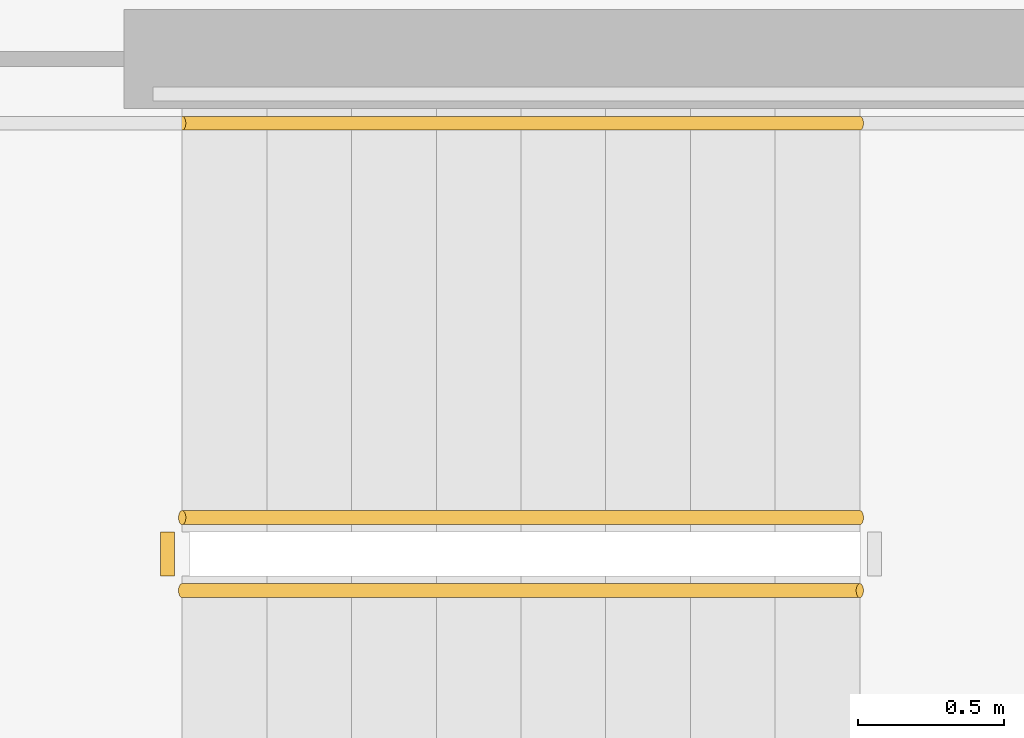
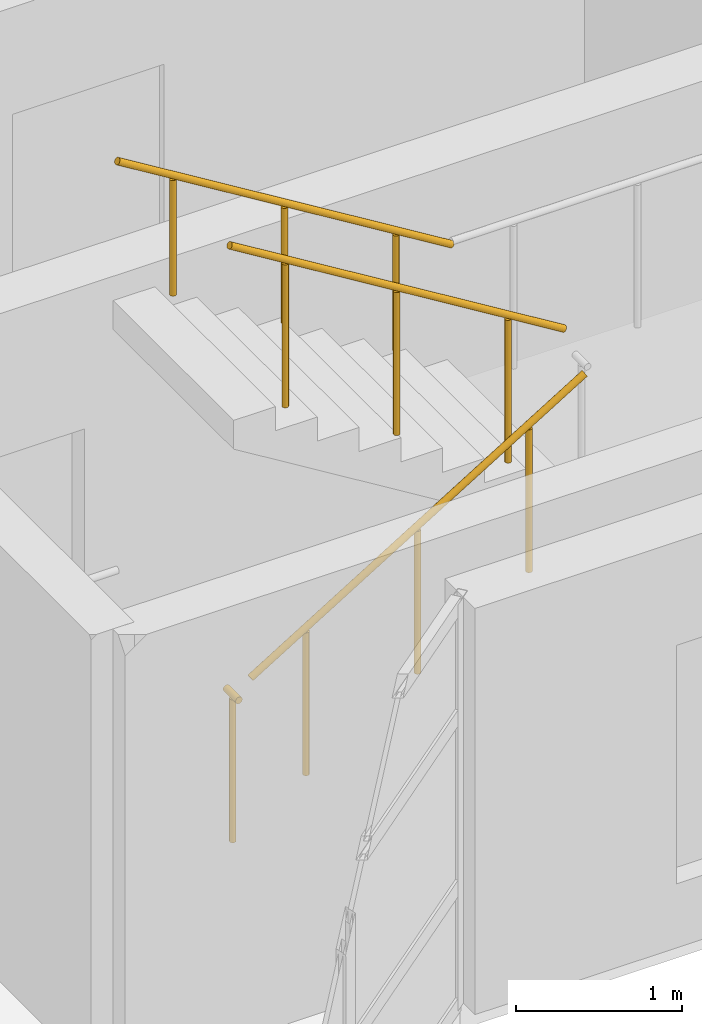
# One storey, part 70 of 79: 4 railings.
"""IFC4 building model written with IfcOpenShell, lengths in metres."""

from ifc_helpers import new_model, si_unit, direction, frame, origin, origin_2d, place, context, subcontext, project, spatial, circle, extrude, material, type_object, element, save


model = new_model("IFC4")

# Units and contexts
model_context = context("Model", 3, precision=1e-05, world=origin(), true_north=direction((0.0, 1.0)))
body_context = subcontext(model_context, "Body", "Model", "MODEL_VIEW")
ifc_project = project(units=[si_unit("LENGTHUNIT", "METRE"), si_unit("AREAUNIT", "SQUARE_METRE"), si_unit("VOLUMEUNIT", "CUBIC_METRE"), si_unit("PLANEANGLEUNIT", "RADIAN"), si_unit("MASSUNIT", "GRAM", prefix="KILO")], contexts=[model_context])

# Site, building, storey
site_placement = place(None, origin())
site = spatial("IfcSite", under=ifc_project, at=site_placement, CompositionType="ELEMENT")
building_placement = place(site_placement, origin())
building = spatial("IfcBuilding", under=site, at=building_placement, Name="Keldmere Railside Commons", CompositionType="ELEMENT")
storey_placement = place(building_placement, frame((0.0, 0.0, 10.56005859375)))
storey = spatial("IfcBuildingStorey", under=building, at=storey_placement, Name="L03", CompositionType="ELEMENT", Elevation=10.56005859375)

# Railings
ifc_material = material(Name="Steel F-24 (S235)", Category="steel")
railing_type_1 = type_object("IfcRailingType", Name="Stair Well Steel Guardrail 1100", PredefinedType="BALUSTRADE", material=ifc_material)
railing_1_placement = place(storey_placement, frame((131.699951171875, 102.0, 0.177734375)))
element("IfcRailing", 1, at=railing_1_placement, inside=storey, type_object=railing_type_1, Name="L03 ST-B2 stair guard 1", PredefinedType="BALUSTRADE", context=body_context, shape_type="SweptSolid", body=[
    extrude(circle(Radius=0.02392578125, at=origin_2d()), frame((0.0, 0.0, 1.076171875), z_axis=(0.852578041948, 0.0, 0.522599925744), x_axis=(0.0, 1.0, 0.0)), (0.0, 0.0, 1.0), 2.72119140625),
    extrude(circle(Radius=0.02099609375, at=origin_2d()), frame((0.38671875, 0.0, 0.237060546875)), (0.0, 0.0, 1.0), 1.048095703125),
    extrude(circle(Radius=0.02099609375, at=origin_2d()), frame((1.16015625, 0.0, 0.7109375)), (0.0, 0.0, 1.0), 1.048095703125),
    extrude(circle(Radius=0.02099609375, at=origin_2d()), frame((1.933349609375, 0.0, 1.18505859375)), (0.0, 0.0, 1.0), 1.048095703125),
])
railing_2_placement = place(storey_placement, frame((134.02001953125, 102.25, 1.77783203125)))
element("IfcRailing", 2, at=railing_2_placement, inside=storey, type_object=railing_type_1, Name="L03 ST-B2 stair guard 6", PredefinedType="BALUSTRADE", context=body_context, shape_type="SweptSolid", body=[
    extrude(circle(Radius=0.02392578125, at=origin_2d()), frame((0.0, 0.0, 1.076171875), z_axis=(-0.852578041948, 0.0, 0.522599925744), x_axis=(0.0, -1.0, 0.0)), (0.0, 0.0, 1.0), 2.72119140625),
    extrude(circle(Radius=0.02099609375, at=origin_2d()), frame((-0.38671875, 0.0, 0.237060546875)), (0.0, 0.0, 1.0), 1.048095703125),
    extrude(circle(Radius=0.02099609375, at=origin_2d()), frame((-1.16015625, 0.0, 0.7109375)), (0.0, 0.0, 1.0), 1.048095703125),
    extrude(circle(Radius=0.02099609375, at=origin_2d()), frame((-1.933349609375, 0.0, 1.18505859375)), (0.0, 0.0, 1.0), 1.048095703125),
])
railing_3_placement = place(storey_placement, frame((131.64990234375, 102.050048828125, 0.0)))
element("IfcRailing", 3, at=railing_3_placement, inside=storey, type_object=railing_type_1, Name="L03 ST-B2 stair guard 7", PredefinedType="BALUSTRADE", context=body_context, shape_type="SweptSolid", body=[
    extrude(circle(Radius=0.02392578125, at=origin_2d()), frame((0.0, 0.0, 1.076171875), z_axis=(0.0, 1.0, 0.0), x_axis=(-1.0, 0.0, 0.0)), (0.0, 0.0, 1.0), 0.14990234375),
    extrude(circle(Radius=0.02099609375, at=origin_2d()), frame((0.0, 0.074951171875, 0.0)), (0.0, 0.0, 1.0), 1.048095703125),
])
railing_type_2 = type_object("IfcRailingType", Name="Wall-Mounted Tubular Steel Handrail 900", PredefinedType="HANDRAIL", material=ifc_material)
railing_4_placement = place(storey_placement, frame((134.02001953125, 103.60009765625, 1.77783203125)))
element("IfcRailing", 4, at=railing_4_placement, inside=storey, type_object=railing_type_2, Name="L03 ST-B2 stair handrail 2", PredefinedType="HANDRAIL", context=body_context, shape_type="SweptSolid", body=[
    extrude(circle(Radius=0.02392578125, at=origin_2d()), frame((0.0, 0.0, 0.8759765625), z_axis=(-0.852578041948, 0.0, 0.522599925744), x_axis=(0.0, -1.0, 0.0)), (0.0, 0.0, 1.0), 2.72119140625),
    extrude(circle(Radius=0.02099609375, at=origin_2d()), frame((-0.38671875, 0.0, 0.237060546875)), (0.0, 0.0, 1.0), 0.847900390625),
    extrude(circle(Radius=0.02099609375, at=origin_2d()), frame((-1.16015625, 0.0, 0.7109375)), (0.0, 0.0, 1.0), 0.847900390625),
    extrude(circle(Radius=0.02099609375, at=origin_2d()), frame((-1.933349609375, 0.0, 1.18505859375)), (0.0, 0.0, 1.0), 0.847900390625),
])

save(model, "model.ifc")
